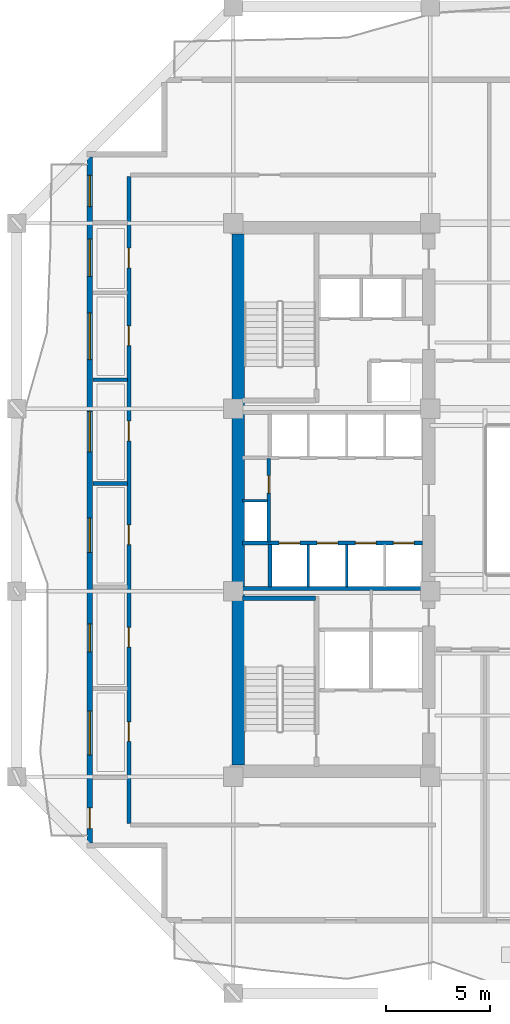
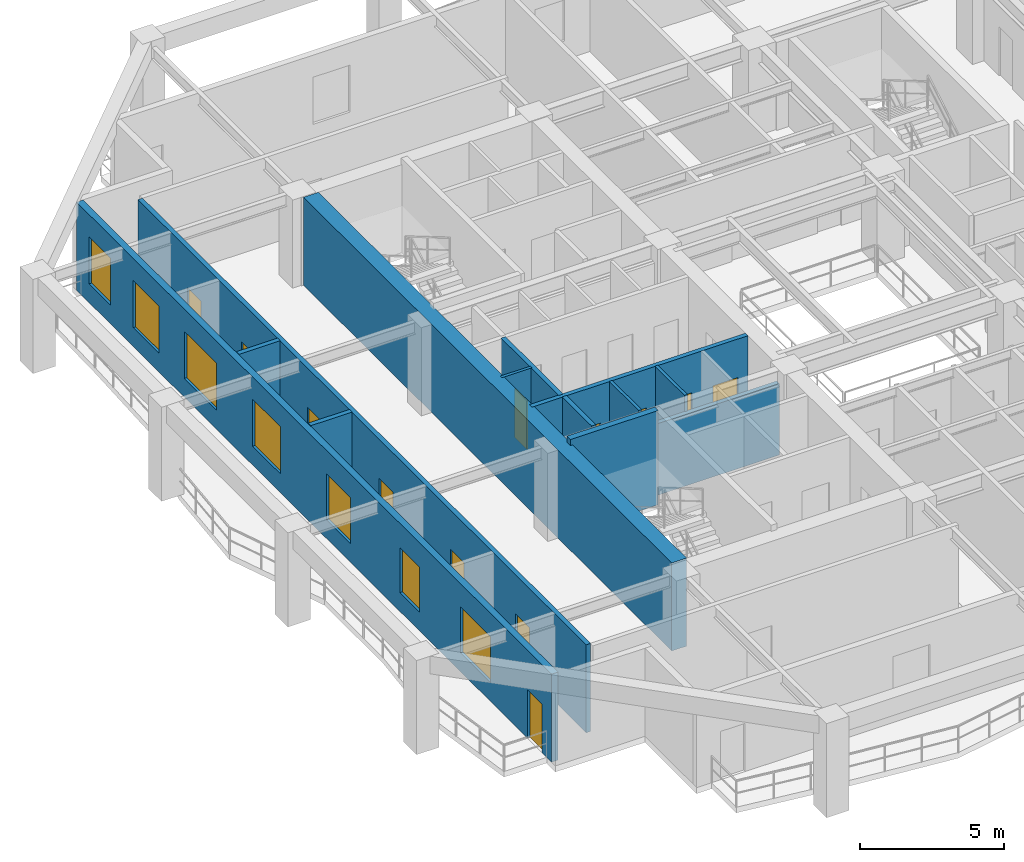
# One storey, part 3 of 11: 13 walls, 12 doors, 7 windows, 19 openings.
"""IFC4 building model written with IfcOpenShell, lengths in metres."""

from ifc_helpers import new_model, si_unit, direction, frame, frame_2d, origin, place, context, subcontext, project, spatial, rectangle, extrude, material, layer, layer_set, type_object, element, fill, save


model = new_model("IFC4")

# Units and contexts
model_context = context("Model", 3, precision=1e-05, world=origin(), true_north=direction((0.0, 1.0)))
body_context = subcontext(model_context, "Body", "Model", "MODEL_VIEW")
ifc_project = project(units=[si_unit("LENGTHUNIT", "METRE"), si_unit("AREAUNIT", "SQUARE_METRE"), si_unit("VOLUMEUNIT", "CUBIC_METRE"), si_unit("PLANEANGLEUNIT", "RADIAN"), si_unit("MASSUNIT", "GRAM", prefix="KILO")], contexts=[model_context])

# Site, building, storey
site_placement = place(None, origin())
site = spatial("IfcSite", under=ifc_project, at=site_placement, CompositionType="ELEMENT")
building_placement = place(site_placement, origin())
building = spatial("IfcBuilding", under=site, at=building_placement, Name="Kundavana Baori Tower", CompositionType="ELEMENT")
storey_placement = place(building_placement, frame((0.0, 0.0, 82.0)))
storey = spatial("IfcBuildingStorey", under=building, at=storey_placement, Name="L19", CompositionType="ELEMENT", Elevation=82.0)

# Walls
ifc_material_1 = material(Name="Concrete C50/60", Category="concrete")
ifc_layer_1 = layer(ifc_material_1, 0.39990234375, Name="WL-CORE-400")
ifc_layer_set_1 = layer_set([ifc_layer_1], Name="Concrete C50/60")
wall_type_1 = type_object("IfcWallType", Name="WL-CORE-400", PredefinedType="SHEAR", material=ifc_layer_set_1)
wall_1_placement = place(storey_placement, frame((15.89990234375, 23.860107421875, 0.0), z_axis=(0.0, 0.0, 1.0), x_axis=(1.0, 0.0, 0.0)))
element("IfcWall", 1, at=wall_1_placement, inside=storey, type_object=wall_type_1, Name="WL-L19-ST1-N", PredefinedType="SHEAR", context=body_context, shape_type="SweptSolid", body=[
    extrude(rectangle(XDim=3.52001953125, YDim=0.239990234375, at=frame_2d((1.760009765625, 0.0))), origin(), (0.0, 0.0, 1.0), 4.0),
])
ifc_material_2 = material(Name="Concrete C60/75", Category="concrete")
ifc_layer_2 = layer(ifc_material_2, 0.60009765625, Name="WL-CORE-600")
ifc_layer_set_2 = layer_set([ifc_layer_2], Name="Concrete C60/75")
wall_type_2 = type_object("IfcWallType", Name="WL-CORE-600", PredefinedType="SHEAR", material=ifc_layer_set_2)
wall_2_placement = place(storey_placement, frame((15.68994140625, 15.81005859375, 0.0), z_axis=(0.0, 0.0, 1.0), x_axis=(0.0, 1.0, 0.0)))
element("IfcWall", 2, at=wall_2_placement, inside=storey, type_object=wall_type_2, Name="L19 Offset Core West Shear Wall", PredefinedType="SHEAR", context=body_context, shape_type="SweptSolid", body=[
    extrude(rectangle(XDim=25.6298828125, YDim=0.60009765625, at=frame_2d((12.81494140625, 0.0))), origin(), (0.0, 0.0, 1.0), 3.739990234375),
])

# Wall, openings, door, windows
ifc_material_3 = material(Name="Kiln-Fired Terracotta Brick-Slip Masonry on Concrete C40/50", Category="masonry")
ifc_layer_3 = layer(ifc_material_3, 0.260009765625, Name="WL-EXT-BRK-260")
ifc_layer_set_3 = layer_set([ifc_layer_3], Name="Kiln-Fired Terracotta Brick-Slip Masonry on Concrete C40/50")
wall_type_3 = type_object("IfcWallType", Name="WL-EXT-BRK-260", PredefinedType="SOLIDWALL", material=ifc_layer_set_3)
wall_3_placement = place(storey_placement, frame((8.530029296875, 45.139892578125, 0.0), z_axis=(0.0, 0.0, 1.0), x_axis=(0.0, -1.0, 0.0)))
wall_3 = element("IfcWall", 3, at=wall_3_placement, inside=storey, type_object=wall_type_3, Name="L19 Exterior Insulated Facade Wall 10", PredefinedType="SOLIDWALL", context=body_context, shape_type="SweptSolid", body=[
    extrude(rectangle(XDim=33.079833984375, YDim=0.260009765625, at=frame_2d((16.5400390625, 0.0))), origin(), (0.0, 0.0, 1.0), 3.739990234375),
])
opening_1_placement = place(wall_3_placement, frame((31.389892578125, 0.0, 0.0)))
opening_1 = element("IfcOpeningElement", 4, at=opening_1_placement, cuts=wall_3, Name="Opening BD-1", PredefinedType="OPENING", context=body_context, shape_type="SweptSolid", body=[
    extrude(rectangle(XDim=1.0, YDim=2.050048828125, at=frame_2d((0.5, 1.02490234375))), frame((0.0, 0.14013671875, 0.0), z_axis=(0.0, -1.0, 0.0), x_axis=(1.0, 0.0, 0.0)), (0.0, 0.0, 1.0), 0.280029296875),
])
opening_2_placement = place(wall_3_placement, frame((26.72998046875, 0.0, 0.800048828125)))
opening_2 = element("IfcOpeningElement", 5, at=opening_2_placement, cuts=wall_3, Name="Opening W-05", PredefinedType="OPENING", context=body_context, shape_type="SweptSolid", body=[
    extrude(rectangle(XDim=2.10009765625, YDim=1.949951171875, at=frame_2d((1.050048828125, 0.97509765625))), frame((0.0, 0.14013671875, 0.0), z_axis=(0.0, -1.0, 0.0), x_axis=(1.0, 0.0, 0.0)), (0.0, 0.0, 1.0), 0.280029296875),
])
opening_3_placement = place(wall_3_placement, frame((22.514892578125, 0.0, 0.800048828125)))
opening_3 = element("IfcOpeningElement", 6, at=opening_3_placement, cuts=wall_3, Name="Opening W-07", PredefinedType="OPENING", context=body_context, shape_type="SweptSolid", body=[
    extrude(rectangle(XDim=1.35009765625, YDim=1.89990234375, at=frame_2d((0.675048828125, 0.949951171875))), frame((0.0, 0.14013671875, 0.0), z_axis=(0.0, -1.0, 0.0), x_axis=(1.0, 0.0, 0.0)), (0.0, 0.0, 1.0), 0.280029296875),
])
opening_4_placement = place(wall_3_placement, frame((17.4150390625, 0.0, 0.800048828125)))
opening_4 = element("IfcOpeningElement", 7, at=opening_4_placement, cuts=wall_3, Name="Opening W-08", PredefinedType="OPENING", context=body_context, shape_type="SweptSolid", body=[
    extrude(rectangle(XDim=1.64990234375, YDim=1.949951171875, at=frame_2d((0.824951171875, 0.97509765625))), frame((0.0, 0.14013671875, 0.0), z_axis=(0.0, -1.0, 0.0), x_axis=(1.0, 0.0, 0.0)), (0.0, 0.0, 1.0), 0.280029296875),
])
opening_5_placement = place(wall_3_placement, frame((12.264892578125, 0.0, 0.800048828125)))
opening_5 = element("IfcOpeningElement", 8, at=opening_5_placement, cuts=wall_3, Name="Opening W-09", PredefinedType="OPENING", context=body_context, shape_type="SweptSolid", body=[
    extrude(rectangle(XDim=1.949951171875, YDim=2.0, at=frame_2d((0.97509765625, 1.0))), frame((0.0, 0.14013671875, 0.0), z_axis=(0.0, -1.0, 0.0), x_axis=(1.0, 0.0, 0.0)), (0.0, 0.0, 1.0), 0.280029296875),
])
opening_6_placement = place(wall_3_placement, frame((7.514892578125, 0.0, 0.800048828125)))
opening_6 = element("IfcOpeningElement", 9, at=opening_6_placement, cuts=wall_3, Name="Opening W-10", PredefinedType="OPENING", context=body_context, shape_type="SweptSolid", body=[
    extrude(rectangle(XDim=2.25, YDim=2.0, at=frame_2d((1.125, 1.0))), frame((0.0, 0.14013671875, 0.0), z_axis=(0.0, -1.0, 0.0), x_axis=(1.0, 0.0, 0.0)), (0.0, 0.0, 1.0), 0.280029296875),
])
opening_7_placement = place(wall_3_placement, frame((3.949951171875, 0.0, 0.800048828125)))
opening_7 = element("IfcOpeningElement", 10, at=opening_7_placement, cuts=wall_3, Name="Opening W-01", PredefinedType="OPENING", context=body_context, shape_type="SweptSolid", body=[
    extrude(rectangle(XDim=1.800048828125, YDim=2.0, at=frame_2d((0.89990234375, 1.0))), frame((0.0, 0.14013671875, 0.0), z_axis=(0.0, -1.0, 0.0), x_axis=(1.0, 0.0, 0.0)), (0.0, 0.0, 1.0), 0.280029296875),
])
opening_8_placement = place(wall_3_placement, frame((0.885009765625, 0.0, 0.800048828125)))
opening_8 = element("IfcOpeningElement", 11, at=opening_8_placement, cuts=wall_3, Name="Opening W-02", PredefinedType="OPENING", context=body_context, shape_type="SweptSolid", body=[
    extrude(rectangle(XDim=1.5, YDim=2.0, at=frame_2d((0.75, 1.0))), frame((0.0, 0.14013671875, 0.0), z_axis=(0.0, -1.0, 0.0), x_axis=(1.0, 0.0, 0.0)), (0.0, 0.0, 1.0), 0.280029296875),
])
ifc_material_4 = material(Name="Architectural Patinated Bronze Metalwork")
door_type_1 = type_object("IfcDoorType", Name="DR-EXT-LOG-1000", OperationType="NOTDEFINED", PredefinedType="DOOR", material=ifc_material_4)
door_1_placement = place(opening_1_placement, frame((1.0, 0.0, 0.0), z_axis=(0.0, 0.0, 1.0), x_axis=(-1.0, 0.0, 0.0)))
door_1 = element("IfcDoor", 12, at=door_1_placement, inside=storey, type_object=door_type_1, Name="L19 Loggia Balcony Access Door W", OperationType="SINGLE_SWING_RIGHT", OverallHeight=2.050048828125, OverallWidth=1.0, PredefinedType="DOOR", context=body_context, shape_type="SweptSolid", body=[
    extrude(rectangle(XDim=1.0, YDim=2.050048828125, at=frame_2d((0.5, 1.02490234375))), frame((0.0, 0.02490234375, 0.0), z_axis=(0.0, -1.0, 0.0), x_axis=(1.0, 0.0, 0.0)), (0.0, 0.0, 1.0), 0.050048828125),
])
fill(opening_1, door_1)
ifc_material_5 = material(Name="Double-Glazed Solar-Control Low-E Insulated Glass", Category="glass")
window_type_1 = type_object("IfcWindowType", Name="WIN-LOG-1350x1900", PartitioningType="SINGLE_PANEL", PredefinedType="WINDOW", material=ifc_material_5)
window_1_placement = place(opening_3_placement, origin())
window_1 = element("IfcWindow", 13, at=window_1_placement, inside=storey, type_object=window_type_1, Name="L19 Recessed Loggia Window W-3", OverallHeight=1.89990234375, OverallWidth=1.35009765625, PartitioningType="SINGLE_PANEL", PredefinedType="WINDOW", context=body_context, shape_type="SweptSolid", body=[
    extrude(rectangle(XDim=1.35009765625, YDim=1.89990234375, at=frame_2d((0.675048828125, 0.949951171875))), frame((0.0, 0.030029296875, 0.0), z_axis=(0.0, -1.0, 0.0), x_axis=(1.0, 0.0, 0.0)), (0.0, 0.0, 1.0), 0.06005859375),
])
fill(opening_3, window_1)
ifc_material_6 = material(Name="Double-Glazed Solar-Control Low-E Insulated Glass", Category="glass")
window_type_2 = type_object("IfcWindowType", Name="WIN-LOG-1500x2000", PartitioningType="SINGLE_PANEL", PredefinedType="WINDOW", material=ifc_material_6)
window_2_placement = place(opening_8_placement, origin())
window_2 = element("IfcWindow", 14, at=window_2_placement, inside=storey, type_object=window_type_2, Name="L19 Recessed Loggia Window W-8", OverallHeight=2.0, OverallWidth=1.5, PartitioningType="SINGLE_PANEL", PredefinedType="WINDOW", context=body_context, shape_type="SweptSolid", body=[
    extrude(rectangle(XDim=1.5, YDim=2.0, at=frame_2d((0.75, 1.0))), frame((0.0, 0.030029296875, 0.0), z_axis=(0.0, -1.0, 0.0), x_axis=(1.0, 0.0, 0.0)), (0.0, 0.0, 1.0), 0.06005859375),
])
fill(opening_8, window_2)
ifc_material_7 = material(Name="Double-Glazed Solar-Control Low-E Insulated Glass", Category="glass")
window_type_3 = type_object("IfcWindowType", Name="WIN-LOG-1650x1950", PartitioningType="SINGLE_PANEL", PredefinedType="WINDOW", material=ifc_material_7)
window_3_placement = place(opening_4_placement, origin())
window_3 = element("IfcWindow", 15, at=window_3_placement, inside=storey, type_object=window_type_3, Name="L19 Recessed Loggia Window W-4", OverallHeight=1.949951171875, OverallWidth=1.64990234375, PartitioningType="SINGLE_PANEL", PredefinedType="WINDOW", context=body_context, shape_type="SweptSolid", body=[
    extrude(rectangle(XDim=1.64990234375, YDim=1.949951171875, at=frame_2d((0.824951171875, 0.97509765625))), frame((0.0, 0.030029296875, 0.0), z_axis=(0.0, -1.0, 0.0), x_axis=(1.0, 0.0, 0.0)), (0.0, 0.0, 1.0), 0.06005859375),
])
fill(opening_4, window_3)
ifc_material_8 = material(Name="Double-Glazed Solar-Control Low-E Insulated Glass", Category="glass")
window_type_4 = type_object("IfcWindowType", Name="WIN-LOG-1800x2000", PartitioningType="SINGLE_PANEL", PredefinedType="WINDOW", material=ifc_material_8)
window_4_placement = place(opening_7_placement, origin())
window_4 = element("IfcWindow", 16, at=window_4_placement, inside=storey, type_object=window_type_4, Name="L19 Recessed Loggia Window W-7", OverallHeight=2.0, OverallWidth=1.800048828125, PartitioningType="SINGLE_PANEL", PredefinedType="WINDOW", context=body_context, shape_type="SweptSolid", body=[
    extrude(rectangle(XDim=1.800048828125, YDim=2.0, at=frame_2d((0.89990234375, 1.0))), frame((0.0, 0.030029296875, 0.0), z_axis=(0.0, -1.0, 0.0), x_axis=(1.0, 0.0, 0.0)), (0.0, 0.0, 1.0), 0.06005859375),
])
fill(opening_7, window_4)
ifc_material_9 = material(Name="Double-Glazed Solar-Control Low-E Insulated Glass", Category="glass")
window_type_5 = type_object("IfcWindowType", Name="WIN-LOG-1950x2000", PartitioningType="SINGLE_PANEL", PredefinedType="WINDOW", material=ifc_material_9)
window_5_placement = place(opening_5_placement, origin())
window_5 = element("IfcWindow", 17, at=window_5_placement, inside=storey, type_object=window_type_5, Name="L19 Recessed Loggia Window W-5", OverallHeight=2.0, OverallWidth=1.949951171875, PartitioningType="SINGLE_PANEL", PredefinedType="WINDOW", context=body_context, shape_type="SweptSolid", body=[
    extrude(rectangle(XDim=1.949951171875, YDim=2.0, at=frame_2d((0.97509765625, 1.0))), frame((0.0, 0.030029296875, 0.0), z_axis=(0.0, -1.0, 0.0), x_axis=(1.0, 0.0, 0.0)), (0.0, 0.0, 1.0), 0.06005859375),
])
fill(opening_5, window_5)
ifc_material_10 = material(Name="Double-Glazed Solar-Control Low-E Insulated Glass", Category="glass")
window_type_6 = type_object("IfcWindowType", Name="WIN-LOG-2100x1950", PartitioningType="SINGLE_PANEL", PredefinedType="WINDOW", material=ifc_material_10)
window_6_placement = place(opening_2_placement, origin())
window_6 = element("IfcWindow", 18, at=window_6_placement, inside=storey, type_object=window_type_6, Name="L19 Recessed Loggia Window W-2", OverallHeight=1.949951171875, OverallWidth=2.10009765625, PartitioningType="SINGLE_PANEL", PredefinedType="WINDOW", context=body_context, shape_type="SweptSolid", body=[
    extrude(rectangle(XDim=2.10009765625, YDim=1.949951171875, at=frame_2d((1.050048828125, 0.97509765625))), frame((0.0, 0.030029296875, 0.0), z_axis=(0.0, -1.0, 0.0), x_axis=(1.0, 0.0, 0.0)), (0.0, 0.0, 1.0), 0.06005859375),
])
fill(opening_2, window_6)
ifc_material_11 = material(Name="Double-Glazed Solar-Control Low-E Insulated Glass", Category="glass")
window_type_7 = type_object("IfcWindowType", Name="WIN-LOG-2250x2000", PartitioningType="SINGLE_PANEL", PredefinedType="WINDOW", material=ifc_material_11)
window_7_placement = place(opening_6_placement, origin())
window_7 = element("IfcWindow", 19, at=window_7_placement, inside=storey, type_object=window_type_7, Name="L19 Recessed Loggia Window W-6", OverallHeight=2.0, OverallWidth=2.25, PartitioningType="SINGLE_PANEL", PredefinedType="WINDOW", context=body_context, shape_type="SweptSolid", body=[
    extrude(rectangle(XDim=2.25, YDim=2.0, at=frame_2d((1.125, 1.0))), frame((0.0, 0.030029296875, 0.0), z_axis=(0.0, -1.0, 0.0), x_axis=(1.0, 0.0, 0.0)), (0.0, 0.0, 1.0), 0.06005859375),
])
fill(opening_6, window_7)

# Walls
ifc_material_12 = material(Name="Acoustic Gypsum Plasterboard on Galvanised Steel Studs", Category="steel")
ifc_layer_4 = layer(ifc_material_12, 0.1201171875, Name="WL-PART-120")
ifc_layer_set_4 = layer_set([ifc_layer_4], Name="Acoustic Gypsum Plasterboard on Galvanised Steel Studs")
wall_type_4 = type_object("IfcWallType", Name="WL-PART-120", PredefinedType="PARTITIONING", material=ifc_layer_set_4)
for number, where, z_axis, x_axis, name in (
    (20, (19.080078125, 24.39990234375, 0.0), (0.0, 0.0, 1.0), (0.0, 1.0, 0.0), "WL-L19-LPLOW-D1"),
    (21, (20.919921875, 24.39990234375, 0.0), (0.0, 0.0, 1.0), (0.0, 1.0, 0.0), "WL-L19-LPLOW-D2"),
):
    element("IfcWall", number, at=place(storey_placement, frame(where, z_axis=z_axis, x_axis=x_axis)), inside=storey, type_object=wall_type_4, Name=name, PredefinedType="PARTITIONING", context=body_context, shape_type="SweptSolid", body=[
        extrude(rectangle(XDim=2.050048828125, YDim=0.1201171875, at=frame_2d((1.02490234375, 0.0))), origin(), (0.0, 0.0, 1.0), 3.739990234375),
    ])
wall_4_placement = place(storey_placement, frame((15.89990234375, 28.56005859375, 0.0), z_axis=(0.0, 0.0, 1.0), x_axis=(1.0, 0.0, 0.0)))
element("IfcWall", 22, at=wall_4_placement, inside=storey, type_object=wall_type_4, Name="WL-L19-RSRW-N", PredefinedType="PARTITIONING", context=body_context, shape_type="SweptSolid", body=[
    extrude(rectangle(XDim=1.2001953125, YDim=0.1201171875, at=frame_2d((0.60009765625, 0.0))), origin(), (0.0, 0.0, 1.0), 3.739990234375),
])

# Wall, openings, doors
ifc_material_13 = material(Name="Autoclaved Aerated Concrete Blockwork Masonry", Category="masonry")
ifc_layer_5 = layer(ifc_material_13, 0.18505859375, Name="WL-PART-180")
ifc_layer_set_5 = layer_set([ifc_layer_5], Name="Autoclaved Aerated Concrete Blockwork Masonry")
wall_type_5 = type_object("IfcWallType", Name="WL-PART-180", PredefinedType="SOLIDWALL", material=ifc_layer_set_5)
wall_5_placement = place(storey_placement, frame((10.419921875, 13.0, 0.0), z_axis=(0.0, 0.0, 1.0), x_axis=(0.0, 1.0, 0.0)))
wall_5 = element("IfcWall", 23, at=wall_5_placement, inside=storey, type_object=wall_type_5, Name="WL-L19-OW", PredefinedType="SOLIDWALL", context=body_context, shape_type="SweptSolid", body=[
    extrude(rectangle(XDim=31.199951171875, YDim=0.18505859375, at=frame_2d((15.60009765625, 0.0))), origin(), (0.0, 0.0, 1.0), 3.739990234375),
])
opening_9_placement = place(wall_5_placement, frame((3.949951171875, 0.0, 0.0)))
opening_9 = element("IfcOpeningElement", 24, at=opening_9_placement, cuts=wall_5, Name="Opening ID-095", PredefinedType="OPENING", context=body_context, shape_type="SweptSolid", body=[
    extrude(rectangle(XDim=0.949951171875, YDim=2.080078125, at=frame_2d((0.47509765625, 1.0400390625))), frame((0.0, 0.1025390625, 0.0), z_axis=(0.0, -1.0, 0.0), x_axis=(1.0, 0.0, 0.0)), (0.0, 0.0, 1.0), 0.205078125),
])
opening_10_placement = place(wall_5_placement, frame((8.5, 0.0, 0.0)))
opening_10 = element("IfcOpeningElement", 25, at=opening_10_placement, cuts=wall_5, Name="Opening ID-095", PredefinedType="OPENING", context=body_context, shape_type="SweptSolid", body=[
    extrude(rectangle(XDim=0.949951171875, YDim=2.080078125, at=frame_2d((0.47509765625, 1.0400390625))), frame((0.0, 0.1025390625, 0.0), z_axis=(0.0, -1.0, 0.0), x_axis=(1.0, 0.0, 0.0)), (0.0, 0.0, 1.0), 0.205078125),
])
opening_11_placement = place(wall_5_placement, frame((13.449951171875, 0.0, 0.0)))
opening_11 = element("IfcOpeningElement", 26, at=opening_11_placement, cuts=wall_5, Name="Opening ID-095", PredefinedType="OPENING", context=body_context, shape_type="SweptSolid", body=[
    extrude(rectangle(XDim=0.949951171875, YDim=2.080078125, at=frame_2d((0.47509765625, 1.0400390625))), frame((0.0, 0.1025390625, 0.0), z_axis=(0.0, -1.0, 0.0), x_axis=(1.0, 0.0, 0.0)), (0.0, 0.0, 1.0), 0.205078125),
])
opening_12_placement = place(wall_5_placement, frame((18.449951171875, 0.0, 0.0)))
opening_12 = element("IfcOpeningElement", 27, at=opening_12_placement, cuts=wall_5, Name="Opening ID-095", PredefinedType="OPENING", context=body_context, shape_type="SweptSolid", body=[
    extrude(rectangle(XDim=0.949951171875, YDim=2.080078125, at=frame_2d((0.47509765625, 1.0400390625))), frame((0.0, 0.1025390625, 0.0), z_axis=(0.0, -1.0, 0.0), x_axis=(1.0, 0.0, 0.0)), (0.0, 0.0, 1.0), 0.205078125),
])
opening_13_placement = place(wall_5_placement, frame((23.050048828125, 0.0, 0.0)))
opening_13 = element("IfcOpeningElement", 28, at=opening_13_placement, cuts=wall_5, Name="Opening ID-095", PredefinedType="OPENING", context=body_context, shape_type="SweptSolid", body=[
    extrude(rectangle(XDim=0.949951171875, YDim=2.080078125, at=frame_2d((0.47509765625, 1.0400390625))), frame((0.0, 0.1025390625, 0.0), z_axis=(0.0, -1.0, 0.0), x_axis=(1.0, 0.0, 0.0)), (0.0, 0.0, 1.0), 0.205078125),
])
opening_14_placement = place(wall_5_placement, frame((26.800048828125, 0.0, 0.0)))
opening_14 = element("IfcOpeningElement", 29, at=opening_14_placement, cuts=wall_5, Name="Opening ID-095", PredefinedType="OPENING", context=body_context, shape_type="SweptSolid", body=[
    extrude(rectangle(XDim=0.949951171875, YDim=2.080078125, at=frame_2d((0.47509765625, 1.0400390625))), frame((0.0, 0.1025390625, 0.0), z_axis=(0.0, -1.0, 0.0), x_axis=(1.0, 0.0, 0.0)), (0.0, 0.0, 1.0), 0.205078125),
])
ifc_material_14 = material(Name="Engineered Teak Solid-Core Timber Veneer", Category="wood")
door_type_2 = type_object("IfcDoorType", Name="DR-INT-950", OperationType="NOTDEFINED", PredefinedType="DOOR", material=ifc_material_14)
door_2_placement = place(opening_9_placement, frame((0.949951171875, 0.0, 0.0), z_axis=(0.0, 0.0, 1.0), x_axis=(-1.0, 0.0, 0.0)))
door_2 = element("IfcDoor", 30, at=door_2_placement, inside=storey, type_object=door_type_2, Name="DR-L19-OFW1", OperationType="SINGLE_SWING_LEFT", OverallHeight=2.080078125, OverallWidth=0.949951171875, PredefinedType="DOOR", context=body_context, shape_type="SweptSolid", body=[
    extrude(rectangle(XDim=0.949951171875, YDim=2.080078125, at=frame_2d((0.47509765625, 1.0400390625))), frame((0.0, 0.02490234375, 0.0), z_axis=(0.0, -1.0, 0.0), x_axis=(1.0, 0.0, 0.0)), (0.0, 0.0, 1.0), 0.050048828125),
])
fill(opening_9, door_2)
door_3_placement = place(opening_10_placement, frame((0.949951171875, 0.0, 0.0), z_axis=(0.0, 0.0, 1.0), x_axis=(-1.0, 0.0, 0.0)))
door_3 = element("IfcDoor", 31, at=door_3_placement, inside=storey, type_object=door_type_2, Name="DR-L19-OFW2", OperationType="SINGLE_SWING_RIGHT", OverallHeight=2.080078125, OverallWidth=0.949951171875, PredefinedType="DOOR", context=body_context, shape_type="SweptSolid", body=[
    extrude(rectangle(XDim=0.949951171875, YDim=2.080078125, at=frame_2d((0.47509765625, 1.0400390625))), frame((0.0, 0.02490234375, 0.0), z_axis=(0.0, -1.0, 0.0), x_axis=(1.0, 0.0, 0.0)), (0.0, 0.0, 1.0), 0.050048828125),
])
fill(opening_10, door_3)
door_4_placement = place(opening_11_placement, frame((0.949951171875, 0.0, 0.0), z_axis=(0.0, 0.0, 1.0), x_axis=(-1.0, 0.0, 0.0)))
door_4 = element("IfcDoor", 32, at=door_4_placement, inside=storey, type_object=door_type_2, Name="DR-L19-OFW3", OperationType="SINGLE_SWING_LEFT", OverallHeight=2.080078125, OverallWidth=0.949951171875, PredefinedType="DOOR", context=body_context, shape_type="SweptSolid", body=[
    extrude(rectangle(XDim=0.949951171875, YDim=2.080078125, at=frame_2d((0.47509765625, 1.0400390625))), frame((0.0, 0.02490234375, 0.0), z_axis=(0.0, -1.0, 0.0), x_axis=(1.0, 0.0, 0.0)), (0.0, 0.0, 1.0), 0.050048828125),
])
fill(opening_11, door_4)
door_5_placement = place(opening_12_placement, frame((0.949951171875, 0.0, 0.0), z_axis=(0.0, 0.0, 1.0), x_axis=(-1.0, 0.0, 0.0)))
door_5 = element("IfcDoor", 33, at=door_5_placement, inside=storey, type_object=door_type_2, Name="DR-L19-OFW4", OperationType="SINGLE_SWING_RIGHT", OverallHeight=2.080078125, OverallWidth=0.949951171875, PredefinedType="DOOR", context=body_context, shape_type="SweptSolid", body=[
    extrude(rectangle(XDim=0.949951171875, YDim=2.080078125, at=frame_2d((0.47509765625, 1.0400390625))), frame((0.0, 0.02490234375, 0.0), z_axis=(0.0, -1.0, 0.0), x_axis=(1.0, 0.0, 0.0)), (0.0, 0.0, 1.0), 0.050048828125),
])
fill(opening_12, door_5)
door_6_placement = place(opening_13_placement, frame((0.949951171875, 0.0, 0.0), z_axis=(0.0, 0.0, 1.0), x_axis=(-1.0, 0.0, 0.0)))
door_6 = element("IfcDoor", 34, at=door_6_placement, inside=storey, type_object=door_type_2, Name="DR-L19-OFW5", OperationType="SINGLE_SWING_LEFT", OverallHeight=2.080078125, OverallWidth=0.949951171875, PredefinedType="DOOR", context=body_context, shape_type="SweptSolid", body=[
    extrude(rectangle(XDim=0.949951171875, YDim=2.080078125, at=frame_2d((0.47509765625, 1.0400390625))), frame((0.0, 0.02490234375, 0.0), z_axis=(0.0, -1.0, 0.0), x_axis=(1.0, 0.0, 0.0)), (0.0, 0.0, 1.0), 0.050048828125),
])
fill(opening_13, door_6)
door_7_placement = place(opening_14_placement, frame((0.949951171875, 0.0, 0.0), z_axis=(0.0, 0.0, 1.0), x_axis=(-1.0, 0.0, 0.0)))
door_7 = element("IfcDoor", 35, at=door_7_placement, inside=storey, type_object=door_type_2, Name="DR-L19-OFW6", OperationType="SINGLE_SWING_RIGHT", OverallHeight=2.080078125, OverallWidth=0.949951171875, PredefinedType="DOOR", context=body_context, shape_type="SweptSolid", body=[
    extrude(rectangle(XDim=0.949951171875, YDim=2.080078125, at=frame_2d((0.47509765625, 1.0400390625))), frame((0.0, 0.02490234375, 0.0), z_axis=(0.0, -1.0, 0.0), x_axis=(1.0, 0.0, 0.0)), (0.0, 0.0, 1.0), 0.050048828125),
])
fill(opening_14, door_7)

# Walls
for number, where, z_axis, x_axis, name in (
    (36, (8.679931640625, 29.39990234375, 0.0), (0.0, 0.0, 1.0), (1.0, 0.0, 0.0), "WL-L19-WD3"),
    (37, (8.679931640625, 34.39990234375, 0.0), (0.0, 0.0, 1.0), (1.0, 0.0, 0.0), "WL-L19-WD4"),
):
    element("IfcWall", number, at=place(storey_placement, frame(where, z_axis=z_axis, x_axis=x_axis)), inside=storey, type_object=wall_type_5, Name=name, PredefinedType="SOLIDWALL", context=body_context, shape_type="SweptSolid", body=[
        extrude(rectangle(XDim=1.66015625, YDim=0.18505859375, at=frame_2d((0.830078125, 0.0))), origin(), (0.0, 0.0, 1.0), 3.739990234375),
    ])

# Wall, openings, doors
ifc_material_15 = material(Name="Autoclaved Aerated Concrete Blockwork Masonry", Category="masonry")
ifc_layer_6 = layer(ifc_material_15, 0.179931640625, Name="WL-SHAFT-180")
ifc_layer_set_6 = layer_set([ifc_layer_6], Name="Autoclaved Aerated Concrete Blockwork Masonry")
wall_type_6 = type_object("IfcWallType", Name="WL-SHAFT-180", PredefinedType="SOLIDWALL", material=ifc_layer_set_6)
wall_6_placement = place(storey_placement, frame((15.89990234375, 26.52001953125, 0.0), z_axis=(0.0, 0.0, 1.0), x_axis=(1.0, 0.0, 0.0)))
wall_6 = element("IfcWall", 38, at=wall_6_placement, inside=storey, type_object=wall_type_6, Name="WL-L19-LPLOW-N", PredefinedType="SOLIDWALL", context=body_context, shape_type="SweptSolid", body=[
    extrude(rectangle(XDim=8.68017578125, YDim=0.179931640625, at=frame_2d((4.340087890625, 0.0))), origin(), (0.0, 0.0, 1.0), 3.739990234375),
])
opening_15_placement = place(wall_6_placement, frame((1.760009765625, 0.0, 0.0)))
opening_15 = element("IfcOpeningElement", 39, at=opening_15_placement, cuts=wall_6, Name="Opening LD-100", PredefinedType="OPENING", context=body_context, shape_type="SweptSolid", body=[
    extrude(rectangle(XDim=1.0, YDim=2.10009765625, at=frame_2d((0.5, 1.050048828125))), frame((0.0, 0.10009765625, 0.0), z_axis=(0.0, -1.0, 0.0), x_axis=(1.0, 0.0, 0.0)), (0.0, 0.0, 1.0), 0.199951171875),
])
opening_16_placement = place(wall_6_placement, frame((3.60009765625, 0.0, 0.0)))
opening_16 = element("IfcOpeningElement", 40, at=opening_16_placement, cuts=wall_6, Name="Opening LD-100", PredefinedType="OPENING", context=body_context, shape_type="SweptSolid", body=[
    extrude(rectangle(XDim=1.0, YDim=2.10009765625, at=frame_2d((0.5, 1.050048828125))), frame((0.0, 0.10009765625, 0.0), z_axis=(0.0, -1.0, 0.0), x_axis=(1.0, 0.0, 0.0)), (0.0, 0.0, 1.0), 0.199951171875),
])
opening_17_placement = place(wall_6_placement, frame((5.43994140625, 0.0, 0.0)))
opening_17 = element("IfcOpeningElement", 41, at=opening_17_placement, cuts=wall_6, Name="Opening LD-100", PredefinedType="OPENING", context=body_context, shape_type="SweptSolid", body=[
    extrude(rectangle(XDim=1.0, YDim=2.10009765625, at=frame_2d((0.5, 1.050048828125))), frame((0.0, 0.10009765625, 0.0), z_axis=(0.0, -1.0, 0.0), x_axis=(1.0, 0.0, 0.0)), (0.0, 0.0, 1.0), 0.199951171875),
])
opening_18_placement = place(wall_6_placement, frame((7.280029296875, 0.0, 0.0)))
opening_18 = element("IfcOpeningElement", 42, at=opening_18_placement, cuts=wall_6, Name="Opening LD-100", PredefinedType="OPENING", context=body_context, shape_type="SweptSolid", body=[
    extrude(rectangle(XDim=1.0, YDim=2.10009765625, at=frame_2d((0.5, 1.050048828125))), frame((0.0, 0.10009765625, 0.0), z_axis=(0.0, -1.0, 0.0), x_axis=(1.0, 0.0, 0.0)), (0.0, 0.0, 1.0), 0.199951171875),
])
ifc_material_16 = material(Name="Galvanised Steel Fire-Rated Door Leaf", Category="steel")
door_type_3 = type_object("IfcDoorType", Name="DR-SLIDE-LD1000", OperationType="NOTDEFINED", PredefinedType="DOOR", material=ifc_material_16)
door_8_placement = place(opening_15_placement, origin())
door_8 = element("IfcDoor", 43, at=door_8_placement, inside=storey, type_object=door_type_3, Name="DR-L19-LD-LP-01", OperationType="DOUBLE_DOOR_SLIDING", OverallHeight=2.10009765625, OverallWidth=1.0, PredefinedType="DOOR", context=body_context, shape_type="SweptSolid", body=[
    extrude(rectangle(XDim=1.0, YDim=2.10009765625, at=frame_2d((0.5, 1.050048828125))), frame((0.0, 0.02490234375, 0.0), z_axis=(0.0, -1.0, 0.0), x_axis=(1.0, 0.0, 0.0)), (0.0, 0.0, 1.0), 0.050048828125),
])
fill(opening_15, door_8)
door_9_placement = place(opening_16_placement, origin())
door_9 = element("IfcDoor", 44, at=door_9_placement, inside=storey, type_object=door_type_3, Name="DR-L19-LD-LP-02", OperationType="DOUBLE_DOOR_SLIDING", OverallHeight=2.10009765625, OverallWidth=1.0, PredefinedType="DOOR", context=body_context, shape_type="SweptSolid", body=[
    extrude(rectangle(XDim=1.0, YDim=2.10009765625, at=frame_2d((0.5, 1.050048828125))), frame((0.0, 0.02490234375, 0.0), z_axis=(0.0, -1.0, 0.0), x_axis=(1.0, 0.0, 0.0)), (0.0, 0.0, 1.0), 0.050048828125),
])
fill(opening_16, door_9)
door_10_placement = place(opening_17_placement, origin())
door_10 = element("IfcDoor", 45, at=door_10_placement, inside=storey, type_object=door_type_3, Name="DR-L19-LD-LP-03", OperationType="DOUBLE_DOOR_SLIDING", OverallHeight=2.10009765625, OverallWidth=1.0, PredefinedType="DOOR", context=body_context, shape_type="SweptSolid", body=[
    extrude(rectangle(XDim=1.0, YDim=2.10009765625, at=frame_2d((0.5, 1.050048828125))), frame((0.0, 0.02490234375, 0.0), z_axis=(0.0, -1.0, 0.0), x_axis=(1.0, 0.0, 0.0)), (0.0, 0.0, 1.0), 0.050048828125),
])
fill(opening_17, door_10)
door_11_placement = place(opening_18_placement, origin())
door_11 = element("IfcDoor", 46, at=door_11_placement, inside=storey, type_object=door_type_3, Name="DR-L19-LD-LP-04", OperationType="DOUBLE_DOOR_SLIDING", OverallHeight=2.10009765625, OverallWidth=1.0, PredefinedType="DOOR", context=body_context, shape_type="SweptSolid", body=[
    extrude(rectangle(XDim=1.0, YDim=2.10009765625, at=frame_2d((0.5, 1.050048828125))), frame((0.0, 0.02490234375, 0.0), z_axis=(0.0, -1.0, 0.0), x_axis=(1.0, 0.0, 0.0)), (0.0, 0.0, 1.0), 0.050048828125),
])
fill(opening_18, door_11)

# Walls
wall_7_placement = place(storey_placement, frame((15.89990234375, 24.330078125, 0.0), z_axis=(0.0, 0.0, 1.0), x_axis=(1.0, 0.0, 0.0)))
element("IfcWall", 47, at=wall_7_placement, inside=storey, type_object=wall_type_6, Name="WL-L19-LPLOW-S", PredefinedType="SOLIDWALL", context=body_context, shape_type="SweptSolid", body=[
    extrude(rectangle(XDim=8.68017578125, YDim=0.179931640625, at=frame_2d((4.340087890625, 0.0))), origin(), (0.0, 0.0, 1.0), 3.0400390625),
])
wall_8_placement = place(storey_placement, frame((17.219970703125, 24.39990234375, 0.0), z_axis=(0.0, 0.0, 1.0), x_axis=(0.0, 1.0, 0.0)))
element("IfcWall", 48, at=wall_8_placement, inside=storey, type_object=wall_type_6, Name="WL-L19-LPLOW-W", PredefinedType="SOLIDWALL", context=body_context, shape_type="SweptSolid", body=[
    extrude(rectangle(XDim=2.050048828125, YDim=0.179931640625, at=frame_2d((1.02490234375, 0.0))), origin(), (0.0, 0.0, 1.0), 3.739990234375),
])

# Wall, opening, door
wall_9_placement = place(storey_placement, frame((17.159912109375, 26.580078125, 0.0), z_axis=(0.0, 0.0, 1.0), x_axis=(0.0, 1.0, 0.0)))
wall_9 = element("IfcWall", 49, at=wall_9_placement, inside=storey, type_object=wall_type_6, Name="WL-L19-RSRW-E", PredefinedType="SOLIDWALL", context=body_context, shape_type="SweptSolid", body=[
    extrude(rectangle(XDim=4.02001953125, YDim=0.179931640625, at=frame_2d((2.010009765625, 0.0))), origin(), (0.0, 0.0, 1.0), 3.739990234375),
])
opening_19_placement = place(wall_9_placement, frame((2.35009765625, 0.0, 0.0)))
opening_19 = element("IfcOpeningElement", 50, at=opening_19_placement, cuts=wall_9, Name="Opening FD-085", PredefinedType="OPENING", context=body_context, shape_type="SweptSolid", body=[
    extrude(rectangle(XDim=0.85009765625, YDim=2.06005859375, at=frame_2d((0.425048828125, 1.030029296875))), frame((0.0, 0.10009765625, 0.0), z_axis=(0.0, -1.0, 0.0), x_axis=(1.0, 0.0, 0.0)), (0.0, 0.0, 1.0), 0.199951171875),
])
ifc_material_17 = material(Name="Galvanised Steel Fire-Rated Door Leaf", Category="steel")
door_type_4 = type_object("IfcDoorType", Name="DR-FD60-850", OperationType="NOTDEFINED", PredefinedType="DOOR", material=ifc_material_17)
door_12_placement = place(opening_19_placement, origin())
door_12 = element("IfcDoor", 51, at=door_12_placement, inside=storey, type_object=door_type_4, Name="DR-L19-CLN", OperationType="SINGLE_SWING_RIGHT", OverallHeight=2.06005859375, OverallWidth=0.85009765625, PredefinedType="DOOR", context=body_context, shape_type="SweptSolid", body=[
    extrude(rectangle(XDim=0.85009765625, YDim=2.06005859375, at=frame_2d((0.425048828125, 1.030029296875))), frame((0.0, 0.02490234375, 0.0), z_axis=(0.0, -1.0, 0.0), x_axis=(1.0, 0.0, 0.0)), (0.0, 0.0, 1.0), 0.050048828125),
])
fill(opening_19, door_12)

save(model, "model.ifc")
